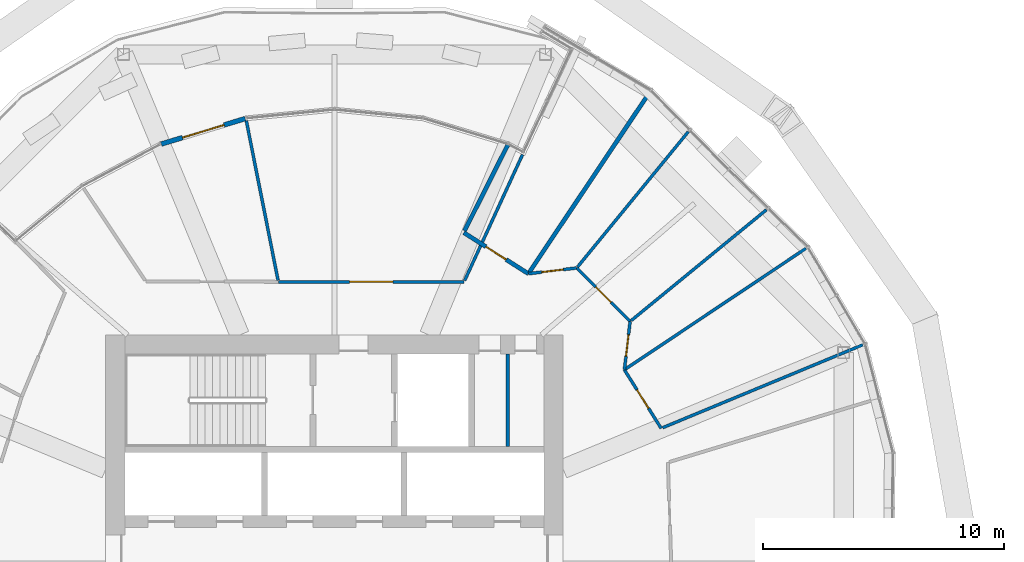
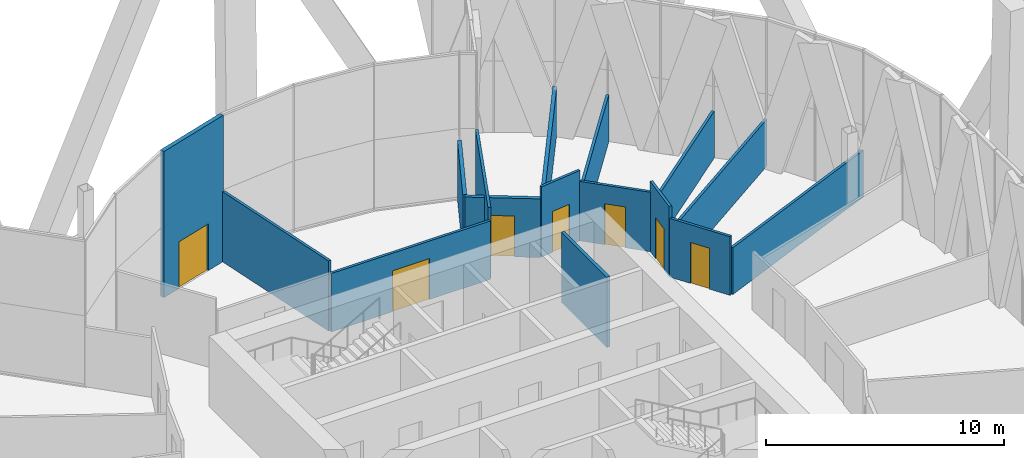
# One storey, part 24 of 31: 16 walls, 7 doors, 7 openings.
"""IFC4 building model written with IfcOpenShell, lengths in metres."""

from ifc_helpers import new_model, si_unit, direction, frame, frame_2d, origin, place, context, subcontext, project, spatial, rectangle, extrude, material, layer, layer_set, type_object, element, fill, save


model = new_model("IFC4")

# Units and contexts
model_context = context("Model", 3, precision=1e-05, world=origin(), true_north=direction((0.0, 1.0)))
body_context = subcontext(model_context, "Body", "Model", "MODEL_VIEW")
ifc_project = project(units=[si_unit("LENGTHUNIT", "METRE"), si_unit("AREAUNIT", "SQUARE_METRE"), si_unit("VOLUMEUNIT", "CUBIC_METRE"), si_unit("PLANEANGLEUNIT", "RADIAN"), si_unit("MASSUNIT", "GRAM", prefix="KILO")], contexts=[model_context])

# Site, building, storey
site_placement = place(None, origin())
site = spatial("IfcSite", under=ifc_project, at=site_placement, CompositionType="ELEMENT")
building_placement = place(site_placement, origin())
building = spatial("IfcBuilding", under=site, at=building_placement, Name="Ogive Gate Towers", CompositionType="ELEMENT")
storey_placement = place(building_placement, frame((0.0, 0.0, 55.800048828125)))
storey = spatial("IfcBuildingStorey", under=building, at=storey_placement, Name="L12", CompositionType="ELEMENT", Elevation=55.800048828125)

# Walls
ifc_material_1 = material(Name="Gypsum board acoustic partition")
ifc_layer_1 = layer(ifc_material_1, 0.175048828125)
ifc_layer_set_1 = layer_set([ifc_layer_1], Name="Acoustic partition 175")
wall_type_1 = type_object("IfcWallType", Name="Acoustic partition 175", PredefinedType="PARTITIONING", material=ifc_layer_set_1)
wall_1_placement = place(storey_placement, frame((-22.904541015625, 19.584716796875, 0.0), z_axis=(0.0, 0.0, 1.0), x_axis=(-0.555860151224, -0.831275822024, 0.0)))
element("IfcWall", 1, at=wall_1_placement, inside=storey, type_object=wall_type_1, Name="Partition T1-L12-007", PredefinedType="PARTITIONING", context=body_context, shape_type="SweptSolid", body=[
    extrude(rectangle(XDim=8.9814453125, YDim=0.175048828125, at=frame_2d((4.49072265625, 0.0))), origin(), (0.0, 0.0, 1.0), 2.39990234375),
])
wall_2_placement = place(storey_placement, frame((-28.782470703125, 17.4248046875, 0.0), z_axis=(0.0, 0.0, 1.0), x_axis=(-0.450172646512, -0.892941536906, 0.0)))
element("IfcWall", 2, at=wall_2_placement, inside=storey, type_object=wall_type_1, Name="Partition T1-L12-009", PredefinedType="PARTITIONING", context=body_context, shape_type="SweptSolid", body=[
    extrude(rectangle(XDim=4.02294921875, YDim=0.175048828125, at=frame_2d((2.011474609375, 0.0))), origin(), (0.0, 0.0, 1.0), 3.010009765625),
])

# Wall, opening, door
wall_3_placement = place(storey_placement, frame((-30.625244140625, 13.751220703125, 0.0), z_axis=(0.0, 0.0, 1.0), x_axis=(0.843651992717, -0.536890412639, 0.0)))
wall_3 = element("IfcWall", 3, at=wall_3_placement, inside=storey, type_object=wall_type_1, Name="Partition T1-L12-032", PredefinedType="PARTITIONING", context=body_context, shape_type="SweptSolid", body=[
    extrude(rectangle(XDim=3.17626953125, YDim=0.175048828125, at=frame_2d((1.588134765625, 0.0))), origin(), (0.0, 0.0, 1.0), 3.010009765625),
])
opening_1_placement = place(wall_3_placement, frame((1.087890625, 0.0, 0.0)))
opening_1 = element("IfcOpeningElement", 4, at=opening_1_placement, cuts=wall_3, Name="Opening T1-L12-D05", PredefinedType="OPENING", context=body_context, shape_type="SweptSolid", body=[
    extrude(rectangle(XDim=1.0, YDim=2.10009765625, at=frame_2d((0.5, 1.050048828125))), frame((0.0, 0.09765625, 0.0), z_axis=(0.0, -1.0, 0.0), x_axis=(1.0, 0.0, 0.0)), (0.0, 0.0, 1.0), 0.195068359375),
])
ifc_material_2 = material(Name="Timber door", Category="wood")
door_type_1 = type_object("IfcDoorType", Name="Door 1000", OperationType="NOTDEFINED", PredefinedType="DOOR", material=ifc_material_2)
door_1_placement = place(opening_1_placement, origin())
door_1 = element("IfcDoor", 5, at=door_1_placement, inside=storey, type_object=door_type_1, Name="Door T1-L12-D05", OperationType="SINGLE_SWING_LEFT", OverallHeight=2.10009765625, OverallWidth=1.0, PredefinedType="DOOR", context=body_context, shape_type="SweptSolid", body=[
    extrude(rectangle(XDim=1.0, YDim=2.10009765625, at=frame_2d((0.5, 1.050048828125))), frame((0.0, 0.02490234375, 0.0), z_axis=(0.0, -1.0, 0.0), x_axis=(1.0, 0.0, 0.0)), (0.0, 0.0, 1.0), 0.050048828125),
])
fill(opening_1, door_1)

ifc_material_3 = material(Name="Pale metal aluminium", Category="aluminium")
ifc_layer_2 = layer(ifc_material_3, 0.199951171875)
ifc_layer_set_2 = layer_set([ifc_layer_2], Name="Garden infill wall")
wall_type_2 = type_object("IfcWallType", Name="Garden infill wall", PredefinedType="SOLIDWALL", material=ifc_layer_set_2)
wall_4_placement = place(storey_placement, frame((-43.193603515625, 17.43212890625, 0.0), z_axis=(0.0, 0.0, 1.0), x_axis=(0.956952313293, 0.290245189594, 0.0)))
wall_4 = element("IfcWall", 6, at=wall_4_placement, inside=storey, type_object=wall_type_2, Name="Garden infill wall", PredefinedType="SOLIDWALL", context=body_context, shape_type="SweptSolid", body=[
    extrude(rectangle(XDim=3.647216796875, YDim=0.199951171875, at=frame_2d((1.82373046875, 0.0))), origin(), (0.0, 0.0, 1.0), 7.5),
])
opening_2_placement = place(wall_4_placement, frame((0.923583984375, 0.0, 0.0)))
opening_2 = element("IfcOpeningElement", 7, at=opening_2_placement, cuts=wall_4, Name="Opening ED1-L12-01", PredefinedType="OPENING", context=body_context, shape_type="SweptSolid", body=[
    extrude(rectangle(XDim=1.800048828125, YDim=2.39990234375, at=frame_2d((0.89990234375, 1.199951171875))), frame((0.0, 0.10986328125, 0.0), z_axis=(0.0, -1.0, 0.0), x_axis=(1.0, 0.0, 0.0)), (0.0, 0.0, 1.0), 0.219970703125),
])
door_type_2 = type_object("IfcDoorType", Name="Garden door 1800 x 2400", OperationType="DOUBLE_DOOR_SINGLE_SWING", PredefinedType="DOOR", material=ifc_material_3)
door_2_placement = place(opening_2_placement, origin())
door_2 = element("IfcDoor", 8, at=door_2_placement, inside=storey, type_object=door_type_2, Name="Garden door", OperationType="SINGLE_SWING_LEFT", OverallHeight=2.39990234375, OverallWidth=1.800048828125, PredefinedType="DOOR", context=body_context, shape_type="SweptSolid", body=[
    extrude(rectangle(XDim=1.800048828125, YDim=2.39990234375, at=frame_2d((0.89990234375, 1.199951171875))), frame((0.0, 0.02490234375, 0.0), z_axis=(0.0, -1.0, 0.0), x_axis=(1.0, 0.0, 0.0)), (0.0, 0.0, 1.0), 0.050048828125),
])
fill(opening_2, door_2)

# Walls
ifc_material_4 = material(Name="Gypsum board partition")
ifc_layer_3 = layer(ifc_material_4, 0.125)
ifc_layer_set_3 = layer_set([ifc_layer_3], Name="Partition 125")
wall_type_3 = type_object("IfcWallType", Name="Partition 125", PredefinedType="PARTITIONING", material=ifc_layer_set_3)
for number, where, z_axis, x_axis, name in (
    (9, (-14.048583984375, 9.092529296875, 0.0), (0.0, 0.0, 1.0), (-0.923881704543, -0.382678188575, 0.0), "Partition T1-L12-003"),
    (10, (-16.415283203125, 13.095458984375, 0.0), (0.0, 0.0, 1.0), (-0.831273793745, -0.555863184456, 0.0), "Partition T1-L12-004"),
):
    element("IfcWall", number, at=place(storey_placement, frame(where, z_axis=z_axis, x_axis=x_axis)), inside=storey, type_object=wall_type_3, Name=name, PredefinedType="PARTITIONING", context=body_context, shape_type="SweptSolid", body=[
        extrude(rectangle(XDim=9.00634765625, YDim=0.125, at=frame_2d((4.503173828125, 0.0))), origin(), (0.0, 0.0, 1.0), 2.39990234375),
    ])
for number, where, z_axis, x_axis, name in (
    (11, (-18.055419921875, 14.699951171875, 0.0), (0.0, 0.0, 1.0), (-0.773585412, -0.633692046928, 0.0), "Partition T1-L12-005"),
    (12, (-21.300048828125, 17.944580078125, 0.0), (0.0, 0.0, 1.0), (-0.633692046928, -0.773585412, 0.0), "Partition T1-L12-006"),
):
    element("IfcWall", number, at=place(storey_placement, frame(where, z_axis=z_axis, x_axis=x_axis)), inside=storey, type_object=wall_type_3, Name=name, PredefinedType="PARTITIONING", context=body_context, shape_type="SweptSolid", body=[
        extrude(rectangle(XDim=7.256591796875, YDim=0.125, at=frame_2d((3.62841796875, 0.0))), origin(), (0.0, 0.0, 1.0), 2.39990234375),
    ])
wall_5_placement = place(storey_placement, frame((-28.186279296875, 16.99169921875, 0.0), z_axis=(0.0, 0.0, 1.0), x_axis=(-0.417796390865, -0.908540684714, 0.0)))
element("IfcWall", 13, at=wall_5_placement, inside=storey, type_object=wall_type_3, Name="Partition T1-L12-008", PredefinedType="PARTITIONING", context=body_context, shape_type="SweptSolid", body=[
    extrude(rectangle(XDim=5.75634765625, YDim=0.125, at=frame_2d((2.878173828125, 0.0))), origin(), (0.0, 0.0, 1.0), 3.599853515625),
])
wall_6_placement = place(storey_placement, frame((-39.659912109375, 18.39892578125, 0.0), z_axis=(0.0, 0.0, 1.0), x_axis=(0.195094511447, -0.980784447064, 0.0)))
element("IfcWall", 14, at=wall_6_placement, inside=storey, type_object=wall_type_3, Name="Partition T1-L12-010", PredefinedType="PARTITIONING", context=body_context, shape_type="SweptSolid", body=[
    extrude(rectangle(XDim=6.75634765625, YDim=0.125, at=frame_2d((3.378173828125, 0.0))), origin(), (0.0, 0.0, 1.0), 3.599853515625),
])

# Wall, opening, door
wall_7_placement = place(storey_placement, frame((-38.32958984375, 11.711181640625, 0.0), z_axis=(0.0, 0.0, 1.0), x_axis=(0.999999686832, -0.000791414485, 0.0)))
wall_7 = element("IfcWall", 15, at=wall_7_placement, inside=storey, type_object=wall_type_3, Name="Partition T1-L12-031", PredefinedType="PARTITIONING", context=body_context, shape_type="SweptSolid", body=[
    extrude(rectangle(XDim=7.712158203125, YDim=0.125, at=frame_2d((3.85595703125, 0.0))), origin(), (0.0, 0.0, 1.0), 3.0),
])
opening_3_placement = place(wall_7_placement, frame((2.9560546875, 0.0, 0.0)))
opening_3 = element("IfcOpeningElement", 16, at=opening_3_placement, cuts=wall_7, Name="Opening T1-L12-D04", PredefinedType="OPENING", context=body_context, shape_type="SweptSolid", body=[
    extrude(rectangle(XDim=1.800048828125, YDim=2.10009765625, at=frame_2d((0.89990234375, 1.050048828125))), frame((0.0, 0.072509765625, 0.0), z_axis=(0.0, -1.0, 0.0), x_axis=(1.0, 0.0, 0.0)), (0.0, 0.0, 1.0), 0.14501953125),
])
door_type_3 = type_object("IfcDoorType", Name="Door pair 1800", OperationType="NOTDEFINED", PredefinedType="DOOR", material=ifc_material_2)
door_3_placement = place(opening_3_placement, origin())
door_3 = element("IfcDoor", 17, at=door_3_placement, inside=storey, type_object=door_type_3, Name="Door T1-L12-D04", OperationType="DOUBLE_DOOR_DOUBLE_SWING", OverallHeight=2.10009765625, OverallWidth=1.800048828125, PredefinedType="DOOR", context=body_context, shape_type="SweptSolid", body=[
    extrude(rectangle(XDim=1.800048828125, YDim=2.10009765625, at=frame_2d((0.89990234375, 1.050048828125))), frame((0.0, 0.02490234375, 0.0), z_axis=(0.0, -1.0, 0.0), x_axis=(1.0, 0.0, 0.0)), (0.0, 0.0, 1.0), 0.050048828125),
])
fill(opening_3, door_3)

wall_8_placement = place(storey_placement, frame((-27.945556640625, 12.0458984375, 0.0), z_axis=(0.0, 0.0, 1.0), x_axis=(0.993114283421, 0.117149562802, 0.0)))
wall_8 = element("IfcWall", 18, at=wall_8_placement, inside=storey, type_object=wall_type_3, Name="Partition T1-L12-033", PredefinedType="PARTITIONING", context=body_context, shape_type="SweptSolid", body=[
    extrude(rectangle(XDim=2.021484375, YDim=0.125, at=frame_2d((1.0107421875, 0.0))), origin(), (0.0, 0.0, 1.0), 3.599853515625),
])
opening_4_placement = place(wall_8_placement, frame((0.56103515625, 0.0, 0.0)))
opening_4 = element("IfcOpeningElement", 19, at=opening_4_placement, cuts=wall_8, Name="Opening T1-L12-D06", PredefinedType="OPENING", context=body_context, shape_type="SweptSolid", body=[
    extrude(rectangle(XDim=0.89990234375, YDim=2.10009765625, at=frame_2d((0.449951171875, 1.050048828125))), frame((0.0, 0.072509765625, 0.0), z_axis=(0.0, -1.0, 0.0), x_axis=(1.0, 0.0, 0.0)), (0.0, 0.0, 1.0), 0.14501953125),
])
door_type_4 = type_object("IfcDoorType", Name="Door 900", OperationType="NOTDEFINED", PredefinedType="DOOR", material=ifc_material_2)
door_4_placement = place(opening_4_placement, origin())
door_4 = element("IfcDoor", 20, at=door_4_placement, inside=storey, type_object=door_type_4, Name="Door T1-L12-D06", OperationType="SINGLE_SWING_LEFT", OverallHeight=2.10009765625, OverallWidth=0.89990234375, PredefinedType="DOOR", context=body_context, shape_type="SweptSolid", body=[
    extrude(rectangle(XDim=0.89990234375, YDim=2.10009765625, at=frame_2d((0.449951171875, 1.050048828125))), frame((0.0, 0.02490234375, 0.0), z_axis=(0.0, -1.0, 0.0), x_axis=(1.0, 0.0, 0.0)), (0.0, 0.0, 1.0), 0.050048828125),
])
fill(opening_4, door_4)

wall_9_placement = place(storey_placement, frame((-25.93798828125, 12.28271484375, 0.0), z_axis=(0.0, 0.0, 1.0), x_axis=(0.707106781187, -0.707106781187, 0.0)))
wall_9 = element("IfcWall", 21, at=wall_9_placement, inside=storey, type_object=wall_type_3, Name="Partition T1-L12-034", PredefinedType="PARTITIONING", context=body_context, shape_type="SweptSolid", body=[
    extrude(rectangle(XDim=3.140625, YDim=0.125, at=frame_2d((1.5703125, 0.0))), origin(), (0.0, 0.0, 1.0), 3.050048828125),
])
opening_5_placement = place(wall_9_placement, frame((1.1201171875, 0.0, 0.0)))
opening_5 = element("IfcOpeningElement", 22, at=opening_5_placement, cuts=wall_9, Name="Opening T1-L12-D07", PredefinedType="OPENING", context=body_context, shape_type="SweptSolid", body=[
    extrude(rectangle(XDim=0.89990234375, YDim=2.10009765625, at=frame_2d((0.449951171875, 1.050048828125))), frame((0.0, 0.072509765625, 0.0), z_axis=(0.0, -1.0, 0.0), x_axis=(1.0, 0.0, 0.0)), (0.0, 0.0, 1.0), 0.14501953125),
])
door_5_placement = place(opening_5_placement, origin())
door_5 = element("IfcDoor", 23, at=door_5_placement, inside=storey, type_object=door_type_4, Name="Door T1-L12-D07", OperationType="SINGLE_SWING_RIGHT", OverallHeight=2.10009765625, OverallWidth=0.89990234375, PredefinedType="DOOR", context=body_context, shape_type="SweptSolid", body=[
    extrude(rectangle(XDim=0.89990234375, YDim=2.10009765625, at=frame_2d((0.449951171875, 1.050048828125))), frame((0.0, 0.02490234375, 0.0), z_axis=(0.0, -1.0, 0.0), x_axis=(1.0, 0.0, 0.0)), (0.0, 0.0, 1.0), 0.050048828125),
])
fill(opening_5, door_5)

wall_10_placement = place(storey_placement, frame((-23.71728515625, 10.06201171875, 0.0), z_axis=(0.0, 0.0, 1.0), x_axis=(-0.117149562802, -0.993114283421, 0.0)))
wall_10 = element("IfcWall", 24, at=wall_10_placement, inside=storey, type_object=wall_type_3, Name="Partition T1-L12-035", PredefinedType="PARTITIONING", context=body_context, shape_type="SweptSolid", body=[
    extrude(rectangle(XDim=2.021484375, YDim=0.125, at=frame_2d((1.0107421875, 0.0))), origin(), (0.0, 0.0, 1.0), 3.599853515625),
])
opening_6_placement = place(wall_10_placement, frame((0.56103515625, 0.0, 0.0)))
opening_6 = element("IfcOpeningElement", 25, at=opening_6_placement, cuts=wall_10, Name="Opening T1-L12-D08", PredefinedType="OPENING", context=body_context, shape_type="SweptSolid", body=[
    extrude(rectangle(XDim=0.89990234375, YDim=2.10009765625, at=frame_2d((0.449951171875, 1.050048828125))), frame((0.0, 0.072509765625, 0.0), z_axis=(0.0, -1.0, 0.0), x_axis=(1.0, 0.0, 0.0)), (0.0, 0.0, 1.0), 0.14501953125),
])
door_6_placement = place(opening_6_placement, origin())
door_6 = element("IfcDoor", 26, at=door_6_placement, inside=storey, type_object=door_type_4, Name="Door T1-L12-D08", OperationType="SINGLE_SWING_LEFT", OverallHeight=2.10009765625, OverallWidth=0.89990234375, PredefinedType="DOOR", context=body_context, shape_type="SweptSolid", body=[
    extrude(rectangle(XDim=0.89990234375, YDim=2.10009765625, at=frame_2d((0.449951171875, 1.050048828125))), frame((0.0, 0.02490234375, 0.0), z_axis=(0.0, -1.0, 0.0), x_axis=(1.0, 0.0, 0.0)), (0.0, 0.0, 1.0), 0.050048828125),
])
fill(opening_6, door_6)

wall_11_placement = place(storey_placement, frame((-23.9541015625, 8.054443359375, 0.0), z_axis=(0.0, 0.0, 1.0), x_axis=(0.531656110464, -0.846960317965, 0.0)))
wall_11 = element("IfcWall", 27, at=wall_11_placement, inside=storey, type_object=wall_type_3, Name="Partition T1-L12-036", PredefinedType="PARTITIONING", context=body_context, shape_type="SweptSolid", body=[
    extrude(rectangle(XDim=2.871826171875, YDim=0.125, at=frame_2d((1.43603515625, 0.0))), origin(), (0.0, 0.0, 1.0), 3.010009765625),
])
opening_7_placement = place(wall_11_placement, frame((0.986083984375, 0.0, 0.0)))
opening_7 = element("IfcOpeningElement", 28, at=opening_7_placement, cuts=wall_11, Name="Opening T1-L12-D09", PredefinedType="OPENING", context=body_context, shape_type="SweptSolid", body=[
    extrude(rectangle(XDim=0.89990234375, YDim=2.10009765625, at=frame_2d((0.449951171875, 1.050048828125))), frame((0.0, 0.072509765625, 0.0), z_axis=(0.0, -1.0, 0.0), x_axis=(1.0, 0.0, 0.0)), (0.0, 0.0, 1.0), 0.14501953125),
])
door_7_placement = place(opening_7_placement, origin())
door_7 = element("IfcDoor", 29, at=door_7_placement, inside=storey, type_object=door_type_4, Name="Door T1-L12-D09", OperationType="SINGLE_SWING_LEFT", OverallHeight=2.10009765625, OverallWidth=0.89990234375, PredefinedType="DOOR", context=body_context, shape_type="SweptSolid", body=[
    extrude(rectangle(XDim=0.89990234375, YDim=2.10009765625, at=frame_2d((0.449951171875, 1.050048828125))), frame((0.0, 0.02490234375, 0.0), z_axis=(0.0, -1.0, 0.0), x_axis=(1.0, 0.0, 0.0)), (0.0, 0.0, 1.0), 0.050048828125),
])
fill(opening_7, door_7)

# Wall
ifc_layer_4 = layer(ifc_material_4, 0.14990234375)
ifc_layer_set_4 = layer_set([ifc_layer_4], Name="Room partition 150 mm")
wall_type_4 = type_object("IfcWallType", Name="Room partition 150 mm", PredefinedType="PARTITIONING", material=ifc_layer_set_4)
wall_12_placement = place(storey_placement, frame((-28.800048828125, 4.875, 0.0), z_axis=(0.0, 0.0, 1.0), x_axis=(0.0, 1.0, 0.0)))
element("IfcWall", 30, at=wall_12_placement, inside=storey, type_object=wall_type_4, Name="T1 L12 Room partition 150 mm", PredefinedType="PARTITIONING", context=body_context, shape_type="SweptSolid", body=[
    extrude(rectangle(XDim=3.824951171875, YDim=0.14990234375, at=frame_2d((1.91259765625, 0.0))), origin(), (0.0, 0.0, 1.0), 3.599853515625),
])

save(model, "model.ifc")
